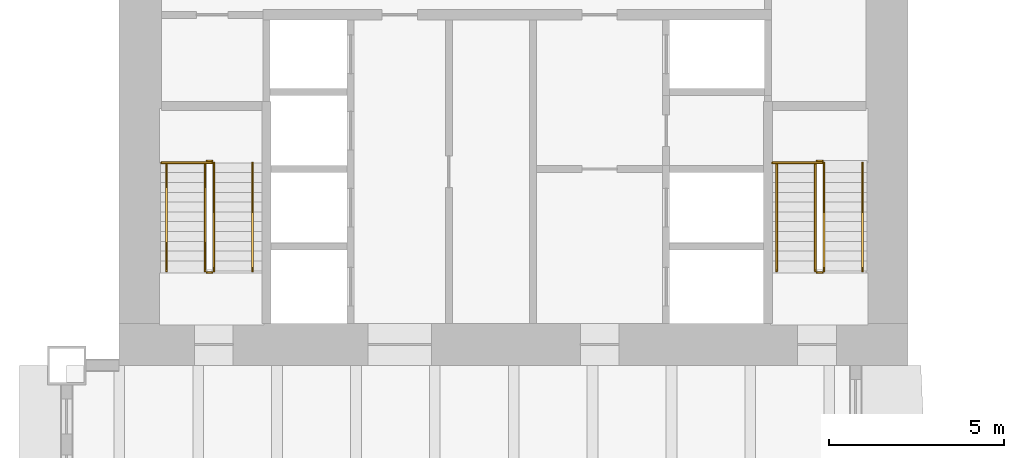
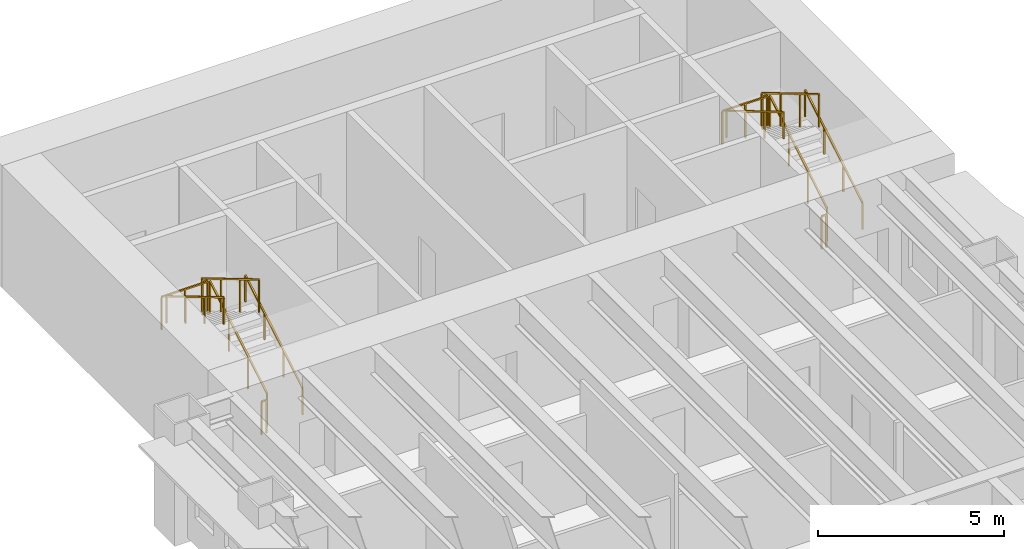
# One storey, part 15 of 15: 14 railings.
"""IFC4 building model written with IfcOpenShell, lengths in metres."""

from ifc_helpers import new_model, si_unit, direction, frame, origin, origin_2d, place, context, subcontext, project, spatial, rectangle, extrude, material, type_object, element, save


model = new_model("IFC4")

# Units and contexts
model_context = context("Model", 3, precision=1e-05, world=origin(), true_north=direction((0.0, 1.0)))
body_context = subcontext(model_context, "Body", "Model", "MODEL_VIEW")
ifc_project = project(units=[si_unit("LENGTHUNIT", "METRE"), si_unit("AREAUNIT", "SQUARE_METRE"), si_unit("VOLUMEUNIT", "CUBIC_METRE"), si_unit("PLANEANGLEUNIT", "RADIAN"), si_unit("MASSUNIT", "GRAM", prefix="KILO")], contexts=[model_context])

# Site, building, storey
site_placement = place(None, origin())
site = spatial("IfcSite", under=ifc_project, at=site_placement, CompositionType="ELEMENT")
building_placement = place(site_placement, origin())
building = spatial("IfcBuilding", under=site, at=building_placement, Name="Sennacour Bend Tower", CompositionType="ELEMENT")
storey_placement = place(building_placement, frame((0.0, 0.0, 61.0)))
storey = spatial("IfcBuildingStorey", under=building, at=storey_placement, Name="L13", CompositionType="ELEMENT", Elevation=61.0)

# Railings
ifc_material = material(Name="Stainless steel", Category="steel")
railing_type_1 = type_object("IfcRailingType", Name="RL-GUARD-1100", PredefinedType="GUARDRAIL", material=ifc_material)
railing_1_placement = place(storey_placement, frame((2.699951171875, 38.699951171875, 0.166748046875)))
element("IfcRailing", 1, at=railing_1_placement, inside=storey, type_object=railing_type_1, Name="L13 SB1 stair guard 1", PredefinedType="GUARDRAIL", context=body_context, shape_type="SweptSolid", body=[
    extrude(rectangle(XDim=0.048095703125, YDim=0.048095703125, at=origin_2d()), frame((0.0, 0.0, 1.076171875), z_axis=(0.0, 0.859308565015, 0.511457515432), x_axis=(-1.0, 0.0, 0.0)), (0.0, 0.0, 1.0), 3.58447265625),
    extrude(rectangle(XDim=0.0419921875, YDim=0.0419921875, at=origin_2d()), origin(), (0.0, 0.0, 1.0), 1.052001953125),
    extrude(rectangle(XDim=0.0419921875, YDim=0.0419921875, at=origin_2d()), frame((0.0, 1.026611328125, 0.611083984375)), (0.0, 0.0, 1.0), 1.052001953125),
    extrude(rectangle(XDim=0.0419921875, YDim=0.0419921875, at=origin_2d()), frame((0.0, 2.053466796875, 1.22216796875)), (0.0, 0.0, 1.0), 1.052001953125),
    extrude(rectangle(XDim=0.0419921875, YDim=0.0419921875, at=origin_2d()), frame((0.0, 3.080078125, 1.833251953125)), (0.0, 0.0, 1.0), 1.052001953125),
])
railing_2_placement = place(storey_placement, frame((2.64990234375, 41.830078125, 2.0)))
element("IfcRailing", 2, at=railing_2_placement, inside=storey, type_object=railing_type_1, Name="L13 SB1 stair guard 2", PredefinedType="GUARDRAIL", context=body_context, shape_type="SweptSolid", body=[
    extrude(rectangle(XDim=0.048095703125, YDim=0.048095703125, at=origin_2d()), frame((0.0, 0.0, 1.076171875), z_axis=(-1.0, 0.0, 0.0), x_axis=(0.0, -1.0, 0.0)), (0.0, 0.0, 1.0), 0.14990234375),
    extrude(rectangle(XDim=0.0419921875, YDim=0.0419921875, at=origin_2d()), origin(), (0.0, 0.0, 1.0), 1.052001953125),
    extrude(rectangle(XDim=0.0419921875, YDim=0.0419921875, at=origin_2d()), frame((-0.14990234375, 0.0, 0.0)), (0.0, 0.0, 1.0), 1.052001953125),
])
railing_3_placement = place(storey_placement, frame((2.449951171875, 41.780029296875, 2.166748046875)))
element("IfcRailing", 3, at=railing_3_placement, inside=storey, type_object=railing_type_1, Name="L13 SB1 stair guard 4", PredefinedType="GUARDRAIL", context=body_context, shape_type="SweptSolid", body=[
    extrude(rectangle(XDim=0.048095703125, YDim=0.048095703125, at=origin_2d()), frame((0.0, 0.0, 1.076171875), z_axis=(0.0, -0.859308565015, 0.511457515432), x_axis=(1.0, 0.0, 0.0)), (0.0, 0.0, 1.0), 3.58447265625),
    extrude(rectangle(XDim=0.0419921875, YDim=0.0419921875, at=origin_2d()), origin(), (0.0, 0.0, 1.0), 1.052001953125),
    extrude(rectangle(XDim=0.0419921875, YDim=0.0419921875, at=origin_2d()), frame((0.0, -1.026611328125, 0.611083984375)), (0.0, 0.0, 1.0), 1.052001953125),
    extrude(rectangle(XDim=0.0419921875, YDim=0.0419921875, at=origin_2d()), frame((0.0, -2.053466796875, 1.22216796875)), (0.0, 0.0, 1.0), 1.052001953125),
    extrude(rectangle(XDim=0.0419921875, YDim=0.0419921875, at=origin_2d()), frame((0.0, -3.080078125, 1.833251953125)), (0.0, 0.0, 1.0), 1.052001953125),
])
railing_4_placement = place(storey_placement, frame((2.64990234375, 38.64990234375, 0.0)))
element("IfcRailing", 4, at=railing_4_placement, inside=storey, type_object=railing_type_1, Name="L13 SB1 stair guard 5", PredefinedType="GUARDRAIL", context=body_context, shape_type="SweptSolid", body=[
    extrude(rectangle(XDim=0.048095703125, YDim=0.048095703125, at=origin_2d()), frame((0.0, 0.0, 1.076171875), z_axis=(-1.0, 0.0, 0.0), x_axis=(0.0, -1.0, 0.0)), (0.0, 0.0, 1.0), 0.14990234375),
    extrude(rectangle(XDim=0.0419921875, YDim=0.0419921875, at=origin_2d()), origin(), (0.0, 0.0, 1.0), 1.052001953125),
    extrude(rectangle(XDim=0.0419921875, YDim=0.0419921875, at=origin_2d()), frame((-0.14990234375, 0.0, 0.0)), (0.0, 0.0, 1.0), 1.052001953125),
])
railing_5_placement = place(storey_placement, frame((2.64990234375, 41.780029296875, 2.0)))
element("IfcRailing", 5, at=railing_5_placement, inside=storey, type_object=railing_type_1, Name="L13 SB1 landing edge guard 32", PredefinedType="GUARDRAIL", context=body_context, shape_type="SweptSolid", body=[
    extrude(rectangle(XDim=0.048095703125, YDim=0.048095703125, at=origin_2d()), frame((0.0, 0.0, 1.076171875), z_axis=(-1.0, 0.0, 0.0), x_axis=(0.0, -1.0, 0.0)), (0.0, 0.0, 1.0), 1.449951171875),
    extrude(rectangle(XDim=0.0419921875, YDim=0.0419921875, at=origin_2d()), origin(), (0.0, 0.0, 1.0), 1.052001953125),
    extrude(rectangle(XDim=0.0419921875, YDim=0.0419921875, at=origin_2d()), frame((-0.72509765625, 0.0, 0.0)), (0.0, 0.0, 1.0), 1.052001953125),
    extrude(rectangle(XDim=0.0419921875, YDim=0.0419921875, at=origin_2d()), frame((-1.449951171875, 0.0, 0.0)), (0.0, 0.0, 1.0), 1.052001953125),
])
railing_6_placement = place(storey_placement, frame((20.10009765625, 38.699951171875, 0.166748046875)))
element("IfcRailing", 6, at=railing_6_placement, inside=storey, type_object=railing_type_1, Name="L13 SB2 stair guard 1", PredefinedType="GUARDRAIL", context=body_context, shape_type="SweptSolid", body=[
    extrude(rectangle(XDim=0.048095703125, YDim=0.048095703125, at=origin_2d()), frame((0.0, 0.0, 1.076171875), z_axis=(0.0, 0.859308565015, 0.511457515432), x_axis=(-1.0, 0.0, 0.0)), (0.0, 0.0, 1.0), 3.58447265625),
    extrude(rectangle(XDim=0.0419921875, YDim=0.0419921875, at=origin_2d()), origin(), (0.0, 0.0, 1.0), 1.052001953125),
    extrude(rectangle(XDim=0.0419921875, YDim=0.0419921875, at=origin_2d()), frame((0.0, 1.026611328125, 0.611083984375)), (0.0, 0.0, 1.0), 1.052001953125),
    extrude(rectangle(XDim=0.0419921875, YDim=0.0419921875, at=origin_2d()), frame((0.0, 2.053466796875, 1.22216796875)), (0.0, 0.0, 1.0), 1.052001953125),
    extrude(rectangle(XDim=0.0419921875, YDim=0.0419921875, at=origin_2d()), frame((0.0, 3.080078125, 1.833251953125)), (0.0, 0.0, 1.0), 1.052001953125),
])
railing_7_placement = place(storey_placement, frame((20.050048828125, 41.830078125, 2.0)))
element("IfcRailing", 7, at=railing_7_placement, inside=storey, type_object=railing_type_1, Name="L13 SB2 stair guard 2", PredefinedType="GUARDRAIL", context=body_context, shape_type="SweptSolid", body=[
    extrude(rectangle(XDim=0.048095703125, YDim=0.048095703125, at=origin_2d()), frame((0.0, 0.0, 1.076171875), z_axis=(-1.0, 0.0, 0.0), x_axis=(0.0, -1.0, 0.0)), (0.0, 0.0, 1.0), 0.150146484375),
    extrude(rectangle(XDim=0.0419921875, YDim=0.0419921875, at=origin_2d()), origin(), (0.0, 0.0, 1.0), 1.052001953125),
    extrude(rectangle(XDim=0.0419921875, YDim=0.0419921875, at=origin_2d()), frame((-0.150146484375, 0.0, 0.0)), (0.0, 0.0, 1.0), 1.052001953125),
])
railing_8_placement = place(storey_placement, frame((19.85009765625, 41.780029296875, 2.166748046875)))
element("IfcRailing", 8, at=railing_8_placement, inside=storey, type_object=railing_type_1, Name="L13 SB2 stair guard 4", PredefinedType="GUARDRAIL", context=body_context, shape_type="SweptSolid", body=[
    extrude(rectangle(XDim=0.048095703125, YDim=0.048095703125, at=origin_2d()), frame((0.0, 0.0, 1.076171875), z_axis=(0.0, -0.859308565015, 0.511457515432), x_axis=(1.0, 0.0, 0.0)), (0.0, 0.0, 1.0), 3.58447265625),
    extrude(rectangle(XDim=0.0419921875, YDim=0.0419921875, at=origin_2d()), origin(), (0.0, 0.0, 1.0), 1.052001953125),
    extrude(rectangle(XDim=0.0419921875, YDim=0.0419921875, at=origin_2d()), frame((0.0, -1.026611328125, 0.611083984375)), (0.0, 0.0, 1.0), 1.052001953125),
    extrude(rectangle(XDim=0.0419921875, YDim=0.0419921875, at=origin_2d()), frame((0.0, -2.053466796875, 1.22216796875)), (0.0, 0.0, 1.0), 1.052001953125),
    extrude(rectangle(XDim=0.0419921875, YDim=0.0419921875, at=origin_2d()), frame((0.0, -3.080078125, 1.833251953125)), (0.0, 0.0, 1.0), 1.052001953125),
])
railing_9_placement = place(storey_placement, frame((20.050048828125, 38.64990234375, 0.0)))
element("IfcRailing", 9, at=railing_9_placement, inside=storey, type_object=railing_type_1, Name="L13 SB2 stair guard 5", PredefinedType="GUARDRAIL", context=body_context, shape_type="SweptSolid", body=[
    extrude(rectangle(XDim=0.048095703125, YDim=0.048095703125, at=origin_2d()), frame((0.0, 0.0, 1.076171875), z_axis=(-1.0, 0.0, 0.0), x_axis=(0.0, -1.0, 0.0)), (0.0, 0.0, 1.0), 0.150146484375),
    extrude(rectangle(XDim=0.0419921875, YDim=0.0419921875, at=origin_2d()), origin(), (0.0, 0.0, 1.0), 1.052001953125),
    extrude(rectangle(XDim=0.0419921875, YDim=0.0419921875, at=origin_2d()), frame((-0.150146484375, 0.0, 0.0)), (0.0, 0.0, 1.0), 1.052001953125),
])
railing_10_placement = place(storey_placement, frame((20.050048828125, 41.780029296875, 2.0)))
element("IfcRailing", 10, at=railing_10_placement, inside=storey, type_object=railing_type_1, Name="L13 SB2 landing edge guard 24", PredefinedType="GUARDRAIL", context=body_context, shape_type="SweptSolid", body=[
    extrude(rectangle(XDim=0.048095703125, YDim=0.048095703125, at=origin_2d()), frame((0.0, 0.0, 1.076171875), z_axis=(-1.0, 0.0, 0.0), x_axis=(0.0, -1.0, 0.0)), (0.0, 0.0, 1.0), 1.425048828125),
    extrude(rectangle(XDim=0.0419921875, YDim=0.0419921875, at=origin_2d()), origin(), (0.0, 0.0, 1.0), 1.052001953125),
    extrude(rectangle(XDim=0.0419921875, YDim=0.0419921875, at=origin_2d()), frame((-0.71240234375, 0.0, 0.0)), (0.0, 0.0, 1.0), 1.052001953125),
    extrude(rectangle(XDim=0.0419921875, YDim=0.0419921875, at=origin_2d()), frame((-1.425048828125, 0.0, 0.0)), (0.0, 0.0, 1.0), 1.052001953125),
])
railing_type_2 = type_object("IfcRailingType", Name="RL-HANDRAIL-900", PredefinedType="HANDRAIL", material=ifc_material)
railing_11_placement = place(storey_placement, frame((3.800048828125, 38.699951171875, 0.166748046875)))
element("IfcRailing", 11, at=railing_11_placement, inside=storey, type_object=railing_type_2, Name="L13 SB1 stair handrail 1", PredefinedType="HANDRAIL", context=body_context, shape_type="SweptSolid", body=[
    extrude(rectangle(XDim=0.048095703125, YDim=0.048095703125, at=origin_2d()), frame((0.0, 0.0, 0.8759765625), z_axis=(0.0, 0.859308565015, 0.511457515432), x_axis=(-1.0, 0.0, 0.0)), (0.0, 0.0, 1.0), 3.58447265625),
    extrude(rectangle(XDim=0.0419921875, YDim=0.0419921875, at=origin_2d()), origin(), (0.0, 0.0, 1.0), 0.851806640625),
    extrude(rectangle(XDim=0.0419921875, YDim=0.0419921875, at=origin_2d()), frame((0.0, 1.026611328125, 0.611083984375)), (0.0, 0.0, 1.0), 0.851806640625),
    extrude(rectangle(XDim=0.0419921875, YDim=0.0419921875, at=origin_2d()), frame((0.0, 2.053466796875, 1.22216796875)), (0.0, 0.0, 1.0), 0.851806640625),
    extrude(rectangle(XDim=0.0419921875, YDim=0.0419921875, at=origin_2d()), frame((0.0, 3.080078125, 1.833251953125)), (0.0, 0.0, 1.0), 0.851806640625),
])
railing_12_placement = place(storey_placement, frame((1.35009765625, 41.780029296875, 2.166748046875)))
element("IfcRailing", 12, at=railing_12_placement, inside=storey, type_object=railing_type_2, Name="L13 SB1 stair handrail 2", PredefinedType="HANDRAIL", context=body_context, shape_type="SweptSolid", body=[
    extrude(rectangle(XDim=0.048095703125, YDim=0.048095703125, at=origin_2d()), frame((0.0, 0.0, 0.8759765625), z_axis=(0.0, -0.859308565015, 0.511457515432), x_axis=(1.0, 0.0, 0.0)), (0.0, 0.0, 1.0), 3.58447265625),
    extrude(rectangle(XDim=0.0419921875, YDim=0.0419921875, at=origin_2d()), origin(), (0.0, 0.0, 1.0), 0.851806640625),
    extrude(rectangle(XDim=0.0419921875, YDim=0.0419921875, at=origin_2d()), frame((0.0, -1.026611328125, 0.611083984375)), (0.0, 0.0, 1.0), 0.851806640625),
    extrude(rectangle(XDim=0.0419921875, YDim=0.0419921875, at=origin_2d()), frame((0.0, -2.053466796875, 1.22216796875)), (0.0, 0.0, 1.0), 0.851806640625),
    extrude(rectangle(XDim=0.0419921875, YDim=0.0419921875, at=origin_2d()), frame((0.0, -3.080078125, 1.833251953125)), (0.0, 0.0, 1.0), 0.851806640625),
])
railing_13_placement = place(storey_placement, frame((21.199951171875, 38.699951171875, 0.166748046875)))
element("IfcRailing", 13, at=railing_13_placement, inside=storey, type_object=railing_type_2, Name="L13 SB2 stair handrail 1", PredefinedType="HANDRAIL", context=body_context, shape_type="SweptSolid", body=[
    extrude(rectangle(XDim=0.048095703125, YDim=0.048095703125, at=origin_2d()), frame((0.0, 0.0, 0.8759765625), z_axis=(0.0, 0.859308565015, 0.511457515432), x_axis=(-1.0, 0.0, 0.0)), (0.0, 0.0, 1.0), 3.58447265625),
    extrude(rectangle(XDim=0.0419921875, YDim=0.0419921875, at=origin_2d()), origin(), (0.0, 0.0, 1.0), 0.851806640625),
    extrude(rectangle(XDim=0.0419921875, YDim=0.0419921875, at=origin_2d()), frame((0.0, 1.026611328125, 0.611083984375)), (0.0, 0.0, 1.0), 0.851806640625),
    extrude(rectangle(XDim=0.0419921875, YDim=0.0419921875, at=origin_2d()), frame((0.0, 2.053466796875, 1.22216796875)), (0.0, 0.0, 1.0), 0.851806640625),
    extrude(rectangle(XDim=0.0419921875, YDim=0.0419921875, at=origin_2d()), frame((0.0, 3.080078125, 1.833251953125)), (0.0, 0.0, 1.0), 0.851806640625),
])
railing_14_placement = place(storey_placement, frame((18.75, 41.780029296875, 2.166748046875)))
element("IfcRailing", 14, at=railing_14_placement, inside=storey, type_object=railing_type_2, Name="L13 SB2 stair handrail 2", PredefinedType="HANDRAIL", context=body_context, shape_type="SweptSolid", body=[
    extrude(rectangle(XDim=0.048095703125, YDim=0.048095703125, at=origin_2d()), frame((0.0, 0.0, 0.8759765625), z_axis=(0.0, -0.859308565015, 0.511457515432), x_axis=(1.0, 0.0, 0.0)), (0.0, 0.0, 1.0), 3.58447265625),
    extrude(rectangle(XDim=0.0419921875, YDim=0.0419921875, at=origin_2d()), origin(), (0.0, 0.0, 1.0), 0.851806640625),
    extrude(rectangle(XDim=0.0419921875, YDim=0.0419921875, at=origin_2d()), frame((0.0, -1.026611328125, 0.611083984375)), (0.0, 0.0, 1.0), 0.851806640625),
    extrude(rectangle(XDim=0.0419921875, YDim=0.0419921875, at=origin_2d()), frame((0.0, -2.053466796875, 1.22216796875)), (0.0, 0.0, 1.0), 0.851806640625),
    extrude(rectangle(XDim=0.0419921875, YDim=0.0419921875, at=origin_2d()), frame((0.0, -3.080078125, 1.833251953125)), (0.0, 0.0, 1.0), 0.851806640625),
])

save(model, "model.ifc")
